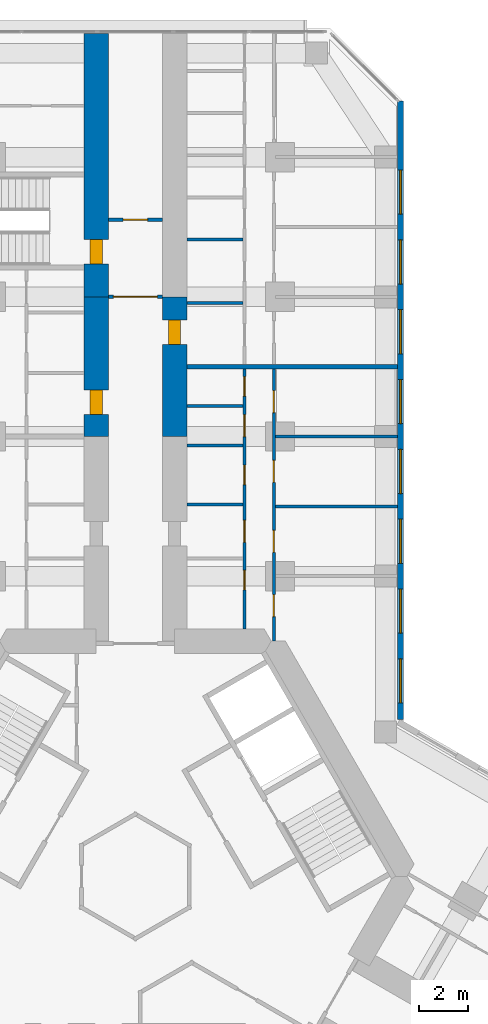
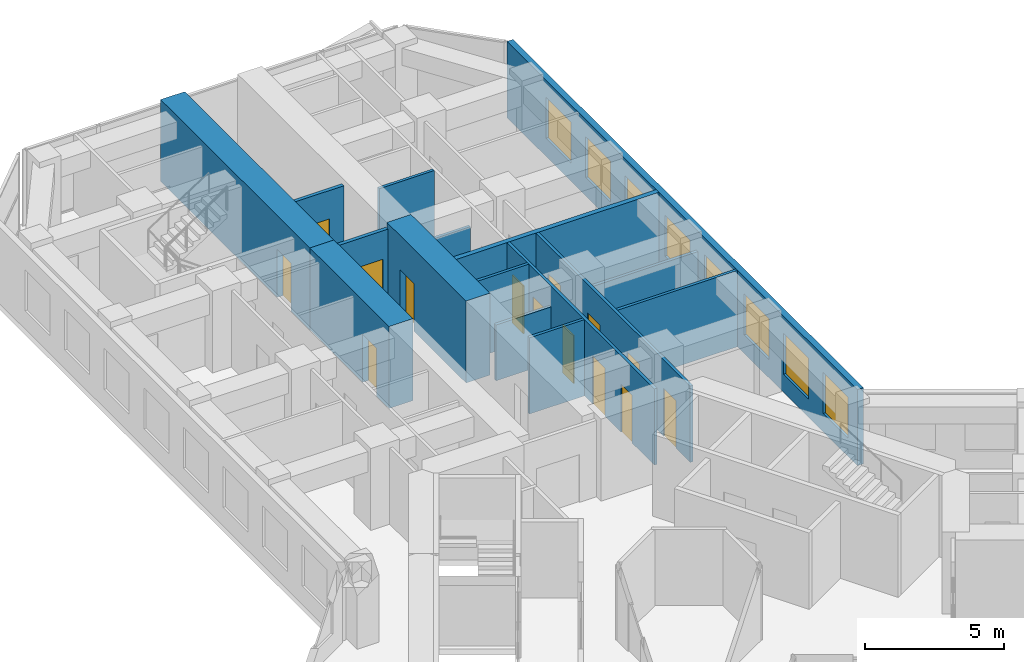
# One storey, part 18 of 21: 16 walls, 14 doors, 8 windows, 22 openings.
"""IFC4 building model written with IfcOpenShell, lengths in metres."""

from ifc_helpers import new_model, si_unit, direction, frame, frame_2d, origin, place, context, subcontext, project, spatial, rectangle, extrude, material, layer, layer_set, type_object, element, fill, save


model = new_model("IFC4")

# Units and contexts
model_context = context("Model", 3, precision=1e-05, world=origin(), true_north=direction((0.0, 1.0)))
body_context = subcontext(model_context, "Body", "Model", "MODEL_VIEW")
ifc_project = project(units=[si_unit("LENGTHUNIT", "METRE"), si_unit("AREAUNIT", "SQUARE_METRE"), si_unit("VOLUMEUNIT", "CUBIC_METRE"), si_unit("PLANEANGLEUNIT", "RADIAN"), si_unit("MASSUNIT", "GRAM", prefix="KILO")], contexts=[model_context])

# Site, building, storey
site_placement = place(None, origin())
site = spatial("IfcSite", under=ifc_project, at=site_placement, CompositionType="ELEMENT")
building_placement = place(site_placement, origin())
building = spatial("IfcBuilding", under=site, at=building_placement, Name="Kosmar Iwan School Tower", CompositionType="ELEMENT")
storey_placement = place(building_placement, frame((0.0, 0.0, 88.0)))
storey = spatial("IfcBuildingStorey", under=building, at=storey_placement, Name="L21", CompositionType="ELEMENT", Elevation=88.0)

# Wall, opening, door
ifc_material_1 = material(Name="Concrete C50/60", Category="concrete")
ifc_layer_1 = layer(ifc_material_1, 1.0)
ifc_layer_set_1 = layer_set([ifc_layer_1], Name="Corridor buttress wall 1000")
wall_type_1 = type_object("IfcWallType", Name="Corridor buttress wall 1000", PredefinedType="SHEAR", material=ifc_layer_set_1)
wall_1_placement = place(storey_placement, frame((-1.60009765625, 17.949951171875, 0.0), z_axis=(0.0, 0.0, 1.0), x_axis=(0.0, 1.0, 0.0)))
wall_1 = element("IfcWall", 1, at=wall_1_placement, inside=storey, type_object=wall_type_1, Name="Corridor wall AL bay 2", PredefinedType="SHEAR", context=body_context, shape_type="SweptSolid", body=[
    extrude(rectangle(XDim=5.699951171875, YDim=1.0, at=frame_2d((2.85009765625, 0.0))), origin(), (0.0, 0.0, 1.0), 3.60009765625),
])
opening_1_placement = place(wall_1_placement, frame((0.89990234375, 0.0, 0.0)))
opening_1 = element("IfcOpeningElement", 2, at=opening_1_placement, cuts=wall_1, Name="Opening D1", PredefinedType="OPENING", context=body_context, shape_type="SweptSolid", body=[
    extrude(rectangle(XDim=1.0, YDim=2.10009765625, at=frame_2d((0.5, 1.050048828125))), frame((0.0, 0.511962890625, 0.0), z_axis=(0.0, -1.0, 0.0), x_axis=(1.0, 0.0, 0.0)), (0.0, 0.0, 1.0), 1.02392578125),
])
ifc_material_2 = material(Name="Timber fire door in steel frame", Category="steel")
door_type_1 = type_object("IfcDoorType", Name="Flat entrance door 1000x2100", OperationType="SINGLE_SWING_LEFT", PredefinedType="DOOR", material=ifc_material_2)
door_1_placement = place(opening_1_placement, origin())
door_1 = element("IfcDoor", 3, at=door_1_placement, inside=storey, type_object=door_type_1, Name="Flat L21-AL2 entrance door", OperationType="SINGLE_SWING_RIGHT", OverallHeight=2.10009765625, OverallWidth=1.0, PredefinedType="DOOR", context=body_context, shape_type="SweptSolid", body=[
    extrude(rectangle(XDim=1.0, YDim=2.10009765625, at=frame_2d((0.5, 1.050048828125))), frame((0.0, 0.25, 0.0), z_axis=(0.0, -1.0, 0.0), x_axis=(1.0, 0.0, 0.0)), (0.0, 0.0, 1.0), 0.5),
])
fill(opening_1, door_1)

wall_2_placement = place(storey_placement, frame((-1.60009765625, 23.64990234375, 0.0), z_axis=(0.0, 0.0, 1.0), x_axis=(0.0, 1.0, 0.0)))
wall_2 = element("IfcWall", 4, at=wall_2_placement, inside=storey, type_object=wall_type_1, Name="Corridor wall AL bay 3", PredefinedType="SHEAR", context=body_context, shape_type="SweptSolid", body=[
    extrude(rectangle(XDim=10.7451171875, YDim=1.0, at=frame_2d((5.37255859375, 0.0))), origin(), (0.0, 0.0, 1.0), 3.60009765625),
])
opening_2_placement = place(wall_2_placement, frame((1.35009765625, 0.0, 0.0)))
opening_2 = element("IfcOpeningElement", 5, at=opening_2_placement, cuts=wall_2, Name="Opening D6", PredefinedType="OPENING", context=body_context, shape_type="SweptSolid", body=[
    extrude(rectangle(XDim=1.0, YDim=2.10009765625, at=frame_2d((0.5, 1.050048828125))), frame((0.0, 0.511962890625, 0.0), z_axis=(0.0, -1.0, 0.0), x_axis=(1.0, 0.0, 0.0)), (0.0, 0.0, 1.0), 1.02392578125),
])
ifc_material_3 = material(Name="Steel fire door", Category="steel")
door_type_2 = type_object("IfcDoorType", Name="Stair door 1000x2100", OperationType="SINGLE_SWING_LEFT", PredefinedType="DOOR", material=ifc_material_3)
door_2_placement = place(opening_2_placement, origin())
door_2 = element("IfcDoor", 6, at=door_2_placement, inside=storey, type_object=door_type_2, Name="Stair WS1 door L21", OperationType="SINGLE_SWING_LEFT", OverallHeight=2.10009765625, OverallWidth=1.0, PredefinedType="DOOR", context=body_context, shape_type="SweptSolid", body=[
    extrude(rectangle(XDim=1.0, YDim=2.10009765625, at=frame_2d((0.5, 1.050048828125))), frame((0.0, 0.25, 0.0), z_axis=(0.0, -1.0, 0.0), x_axis=(1.0, 0.0, 0.0)), (0.0, 0.0, 1.0), 0.5),
])
fill(opening_2, door_2)

wall_3_placement = place(storey_placement, frame((1.60009765625, 17.949951171875, 0.0), z_axis=(0.0, 0.0, 1.0), x_axis=(0.0, 1.0, 0.0)))
wall_3 = element("IfcWall", 7, at=wall_3_placement, inside=storey, type_object=wall_type_1, Name="Corridor wall AR bay 2", PredefinedType="SHEAR", context=body_context, shape_type="SweptSolid", body=[
    extrude(rectangle(XDim=5.699951171875, YDim=1.0, at=frame_2d((2.85009765625, 0.0))), origin(), (0.0, 0.0, 1.0), 3.60009765625),
])
opening_3_placement = place(wall_3_placement, frame((3.75, 0.0, 0.0)))
opening_3 = element("IfcOpeningElement", 8, at=opening_3_placement, cuts=wall_3, Name="Opening D1", PredefinedType="OPENING", context=body_context, shape_type="SweptSolid", body=[
    extrude(rectangle(XDim=1.0, YDim=2.10009765625, at=frame_2d((0.5, 1.050048828125))), frame((0.0, 0.511962890625, 0.0), z_axis=(0.0, -1.0, 0.0), x_axis=(1.0, 0.0, 0.0)), (0.0, 0.0, 1.0), 1.02392578125),
])
door_3_placement = place(opening_3_placement, origin())
door_3 = element("IfcDoor", 9, at=door_3_placement, inside=storey, type_object=door_type_1, Name="Flat L21-AR2 entrance door", OperationType="SINGLE_SWING_RIGHT", OverallHeight=2.10009765625, OverallWidth=1.0, PredefinedType="DOOR", context=body_context, shape_type="SweptSolid", body=[
    extrude(rectangle(XDim=1.0, YDim=2.10009765625, at=frame_2d((0.5, 1.050048828125))), frame((0.0, 0.25, 0.0), z_axis=(0.0, -1.0, 0.0), x_axis=(1.0, 0.0, 0.0)), (0.0, 0.0, 1.0), 0.5),
])
fill(opening_3, door_3)

ifc_material_4 = material(Name="Gypsum board on steel studs, fire-rated", Category="steel")
ifc_layer_2 = layer(ifc_material_4, 0.14990234375)
ifc_layer_set_2 = layer_set([ifc_layer_2], Name="Corridor end wall 150")
wall_type_2 = type_object("IfcWallType", Name="Corridor end wall 150", PredefinedType="PARTITIONING", material=ifc_layer_set_2)
wall_4_placement = place(storey_placement, frame((1.10009765625, 26.800048828125, 0.0), z_axis=(0.0, 0.0, 1.0), x_axis=(-1.0, 0.0, 0.0)))
wall_4 = element("IfcWall", 10, at=wall_4_placement, inside=storey, type_object=wall_type_2, Name="Partition L21-A-CE", PredefinedType="PARTITIONING", context=body_context, shape_type="SweptSolid", body=[
    extrude(rectangle(XDim=2.2001953125, YDim=0.14990234375, at=frame_2d((1.10009765625, 0.0))), origin(), (0.0, 0.0, 1.0), 3.35009765625),
])
opening_4_placement = place(wall_4_placement, frame((0.60009765625, 0.0, 0.0)))
opening_4 = element("IfcOpeningElement", 11, at=opening_4_placement, cuts=wall_4, Name="Opening D13", PredefinedType="OPENING", context=body_context, shape_type="SweptSolid", body=[
    extrude(rectangle(XDim=1.0, YDim=2.10009765625, at=frame_2d((0.5, 1.050048828125))), frame((0.0, 0.0869140625, 0.0), z_axis=(0.0, -1.0, 0.0), x_axis=(1.0, 0.0, 0.0)), (0.0, 0.0, 1.0), 0.173828125),
])
ifc_material_5 = material(Name="Timber fire door with vision panel", Category="wood")
door_type_3 = type_object("IfcDoorType", Name="Corridor end door 1000x2100", OperationType="SINGLE_SWING_LEFT", PredefinedType="DOOR", material=ifc_material_5)
door_4_placement = place(opening_4_placement, origin())
door_4 = element("IfcDoor", 12, at=door_4_placement, inside=storey, type_object=door_type_3, Name="Laundry and drying room door L21-A", OperationType="SINGLE_SWING_RIGHT", OverallHeight=2.10009765625, OverallWidth=1.0, PredefinedType="DOOR", context=body_context, shape_type="SweptSolid", body=[
    extrude(rectangle(XDim=1.0, YDim=2.10009765625, at=frame_2d((0.5, 1.050048828125))), frame((0.0, 0.02490234375, 0.0), z_axis=(0.0, -1.0, 0.0), x_axis=(1.0, 0.0, 0.0)), (0.0, 0.0, 1.0), 0.050048828125),
])
fill(opening_4, door_4)

wall_5_placement = place(storey_placement, frame((1.10009765625, 23.64990234375, 0.0), z_axis=(0.0, 0.0, 1.0), x_axis=(-1.0, 0.0, 0.0)))
wall_5 = element("IfcWall", 13, at=wall_5_placement, inside=storey, type_object=wall_type_2, Name="Partition L21-A-HW", PredefinedType="PARTITIONING", context=body_context, shape_type="SweptSolid", body=[
    extrude(rectangle(XDim=2.2001953125, YDim=0.14990234375, at=frame_2d((1.10009765625, 0.0))), origin(), (0.0, 0.0, 1.0), 3.35009765625),
])
opening_5_placement = place(wall_5_placement, frame((0.199951171875, 0.0, 0.0)))
opening_5 = element("IfcOpeningElement", 14, at=opening_5_placement, cuts=wall_5, Name="Opening D9", PredefinedType="OPENING", context=body_context, shape_type="SweptSolid", body=[
    extrude(rectangle(XDim=1.800048828125, YDim=2.10009765625, at=frame_2d((0.89990234375, 1.050048828125))), frame((0.0, 0.0869140625, 0.0), z_axis=(0.0, -1.0, 0.0), x_axis=(1.0, 0.0, 0.0)), (0.0, 0.0, 1.0), 0.173828125),
])
ifc_material_6 = material(Name="Steel framed glazed smoke door", Category="steel")
door_type_4 = type_object("IfcDoorType", Name="Corridor smoke door pair 1800x2100", OperationType="DOUBLE_DOOR_DOUBLE_SWING", PredefinedType="DOOR", material=ifc_material_6)
door_5_placement = place(opening_5_placement, origin())
door_5 = element("IfcDoor", 15, at=door_5_placement, inside=storey, type_object=door_type_4, Name="Entrance vestibule smoke doors L21-A", OperationType="DOUBLE_DOOR_DOUBLE_SWING", OverallHeight=2.10009765625, OverallWidth=1.800048828125, PredefinedType="DOOR", context=body_context, shape_type="SweptSolid", body=[
    extrude(rectangle(XDim=1.800048828125, YDim=2.10009765625, at=frame_2d((0.89990234375, 1.050048828125))), frame((0.0, 0.02490234375, 0.0), z_axis=(0.0, -1.0, 0.0), x_axis=(1.0, 0.0, 0.0)), (0.0, 0.0, 1.0), 0.050048828125),
])
fill(opening_5, door_5)

# Wall, openings, doors
ifc_material_7 = material(Name="Gypsum board on steel studs", Category="steel")
ifc_layer_3 = layer(ifc_material_7, 0.1201171875)
ifc_layer_set_3 = layer_set([ifc_layer_3], Name="Dwelling partition 120")
wall_type_3 = type_object("IfcWallType", Name="Dwelling partition 120", PredefinedType="PARTITIONING", material=ifc_layer_set_3)
wall_6_placement = place(storey_placement, frame((4.449951171875, 10.10009765625, 0.0), z_axis=(0.0, 0.0, 1.0), x_axis=(0.0, 1.0, 0.0)))
wall_6 = element("IfcWall", 16, at=wall_6_placement, inside=storey, type_object=wall_type_3, Name="Partition L21-AR1-W1", PredefinedType="PARTITIONING", context=body_context, shape_type="SweptSolid", body=[
    extrude(rectangle(XDim=10.599853515625, YDim=0.1201171875, at=frame_2d((5.2998046875, 0.0))), origin(), (0.0, 0.0, 1.0), 3.35009765625),
])
opening_6_placement = place(wall_6_placement, frame((1.590087890625, 0.0, 0.0)))
opening_6 = element("IfcOpeningElement", 17, at=opening_6_placement, cuts=wall_6, Name="Opening D3", PredefinedType="OPENING", context=body_context, shape_type="SweptSolid", body=[
    extrude(rectangle(XDim=0.800048828125, YDim=2.10009765625, at=frame_2d((0.39990234375, 1.050048828125))), frame((0.0, 0.072021484375, 0.0), z_axis=(0.0, -1.0, 0.0), x_axis=(1.0, 0.0, 0.0)), (0.0, 0.0, 1.0), 0.14404296875),
])
opening_7_placement = place(wall_6_placement, frame((3.530029296875, 0.0, 0.0)))
opening_7 = element("IfcOpeningElement", 18, at=opening_7_placement, cuts=wall_6, Name="Opening D2", PredefinedType="OPENING", context=body_context, shape_type="SweptSolid", body=[
    extrude(rectangle(XDim=0.89990234375, YDim=2.10009765625, at=frame_2d((0.449951171875, 1.050048828125))), frame((0.0, 0.072021484375, 0.0), z_axis=(0.0, -1.0, 0.0), x_axis=(1.0, 0.0, 0.0)), (0.0, 0.0, 1.0), 0.14404296875),
])
opening_8_placement = place(wall_6_placement, frame((5.88427734375, 0.0, 0.0)))
opening_8 = element("IfcOpeningElement", 19, at=opening_8_placement, cuts=wall_6, Name="Opening D3", PredefinedType="OPENING", context=body_context, shape_type="SweptSolid", body=[
    extrude(rectangle(XDim=0.800048828125, YDim=2.10009765625, at=frame_2d((0.39990234375, 1.050048828125))), frame((0.0, 0.072021484375, 0.0), z_axis=(0.0, -1.0, 0.0), x_axis=(1.0, 0.0, 0.0)), (0.0, 0.0, 1.0), 0.14404296875),
])
opening_9_placement = place(wall_6_placement, frame((7.841552734375, 0.0, 0.0)))
opening_9 = element("IfcOpeningElement", 20, at=opening_9_placement, cuts=wall_6, Name="Opening D2", PredefinedType="OPENING", context=body_context, shape_type="SweptSolid", body=[
    extrude(rectangle(XDim=0.89990234375, YDim=2.10009765625, at=frame_2d((0.449951171875, 1.050048828125))), frame((0.0, 0.072021484375, 0.0), z_axis=(0.0, -1.0, 0.0), x_axis=(1.0, 0.0, 0.0)), (0.0, 0.0, 1.0), 0.14404296875),
])
opening_10_placement = place(wall_6_placement, frame((9.4970703125, 0.0, 0.0)))
opening_10 = element("IfcOpeningElement", 21, at=opening_10_placement, cuts=wall_6, Name="Opening D3", PredefinedType="OPENING", context=body_context, shape_type="SweptSolid", body=[
    extrude(rectangle(XDim=0.800048828125, YDim=2.10009765625, at=frame_2d((0.39990234375, 1.050048828125))), frame((0.0, 0.072021484375, 0.0), z_axis=(0.0, -1.0, 0.0), x_axis=(1.0, 0.0, 0.0)), (0.0, 0.0, 1.0), 0.14404296875),
])
ifc_material_8 = material(Name="Timber door in timber frame", Category="wood")
door_type_5 = type_object("IfcDoorType", Name="Internal door 900x2100", OperationType="SINGLE_SWING_LEFT", PredefinedType="DOOR", material=ifc_material_8)
door_6_placement = place(opening_7_placement, origin())
door_6 = element("IfcDoor", 22, at=door_6_placement, inside=storey, type_object=door_type_5, Name="Entrance hall door L21-AR1-S2", OperationType="SINGLE_SWING_LEFT", OverallHeight=2.10009765625, OverallWidth=0.89990234375, PredefinedType="DOOR", context=body_context, shape_type="SweptSolid", body=[
    extrude(rectangle(XDim=0.89990234375, YDim=2.10009765625, at=frame_2d((0.449951171875, 1.050048828125))), frame((0.0, 0.02490234375, 0.0), z_axis=(0.0, -1.0, 0.0), x_axis=(1.0, 0.0, 0.0)), (0.0, 0.0, 1.0), 0.050048828125),
])
fill(opening_7, door_6)
door_7_placement = place(opening_9_placement, origin())
door_7 = element("IfcDoor", 23, at=door_7_placement, inside=storey, type_object=door_type_5, Name="Pantry door L21-AR1-S4", OperationType="SINGLE_SWING_LEFT", OverallHeight=2.10009765625, OverallWidth=0.89990234375, PredefinedType="DOOR", context=body_context, shape_type="SweptSolid", body=[
    extrude(rectangle(XDim=0.89990234375, YDim=2.10009765625, at=frame_2d((0.449951171875, 1.050048828125))), frame((0.0, 0.02490234375, 0.0), z_axis=(0.0, -1.0, 0.0), x_axis=(1.0, 0.0, 0.0)), (0.0, 0.0, 1.0), 0.050048828125),
])
fill(opening_9, door_7)
ifc_material_9 = material(Name="Timber door in timber frame", Category="wood")
door_type_6 = type_object("IfcDoorType", Name="Sanitary room door 800x2100", OperationType="SINGLE_SWING_LEFT", PredefinedType="DOOR", material=ifc_material_9)
door_8_placement = place(opening_6_placement, origin())
door_8 = element("IfcDoor", 24, at=door_8_placement, inside=storey, type_object=door_type_6, Name="WC door L21-AR1-S1", OperationType="SINGLE_SWING_RIGHT", OverallHeight=2.10009765625, OverallWidth=0.800048828125, PredefinedType="DOOR", context=body_context, shape_type="SweptSolid", body=[
    extrude(rectangle(XDim=0.800048828125, YDim=2.10009765625, at=frame_2d((0.39990234375, 1.050048828125))), frame((0.0, 0.02490234375, 0.0), z_axis=(0.0, -1.0, 0.0), x_axis=(1.0, 0.0, 0.0)), (0.0, 0.0, 1.0), 0.050048828125),
])
fill(opening_6, door_8)
door_9_placement = place(opening_8_placement, origin())
door_9 = element("IfcDoor", 25, at=door_9_placement, inside=storey, type_object=door_type_6, Name="Bathroom door L21-AR1-S3", OperationType="SINGLE_SWING_RIGHT", OverallHeight=2.10009765625, OverallWidth=0.800048828125, PredefinedType="DOOR", context=body_context, shape_type="SweptSolid", body=[
    extrude(rectangle(XDim=0.800048828125, YDim=2.10009765625, at=frame_2d((0.39990234375, 1.050048828125))), frame((0.0, 0.02490234375, 0.0), z_axis=(0.0, -1.0, 0.0), x_axis=(1.0, 0.0, 0.0)), (0.0, 0.0, 1.0), 0.050048828125),
])
fill(opening_8, door_9)
door_10_placement = place(opening_10_placement, origin())
door_10 = element("IfcDoor", 26, at=door_10_placement, inside=storey, type_object=door_type_6, Name="Store door L21-AR1-S5", OperationType="SINGLE_SWING_RIGHT", OverallHeight=2.10009765625, OverallWidth=0.800048828125, PredefinedType="DOOR", context=body_context, shape_type="SweptSolid", body=[
    extrude(rectangle(XDim=0.800048828125, YDim=2.10009765625, at=frame_2d((0.39990234375, 1.050048828125))), frame((0.0, 0.02490234375, 0.0), z_axis=(0.0, -1.0, 0.0), x_axis=(1.0, 0.0, 0.0)), (0.0, 0.0, 1.0), 0.050048828125),
])
fill(opening_10, door_10)

wall_7_placement = place(storey_placement, frame((5.64990234375, 9.60009765625, 0.0), z_axis=(0.0, 0.0, 1.0), x_axis=(0.0, 1.0, 0.0)))
wall_7 = element("IfcWall", 27, at=wall_7_placement, inside=storey, type_object=wall_type_3, Name="Partition L21-AR1-W2", PredefinedType="PARTITIONING", context=body_context, shape_type="SweptSolid", body=[
    extrude(rectangle(XDim=11.099853515625, YDim=0.1201171875, at=frame_2d((5.5498046875, 0.0))), origin(), (0.0, 0.0, 1.0), 3.35009765625),
])
opening_11_placement = place(wall_7_placement, frame((1.0, 0.0, 0.0)))
opening_11 = element("IfcOpeningElement", 28, at=opening_11_placement, cuts=wall_7, Name="Opening D2", PredefinedType="OPENING", context=body_context, shape_type="SweptSolid", body=[
    extrude(rectangle(XDim=0.89990234375, YDim=2.10009765625, at=frame_2d((0.449951171875, 1.050048828125))), frame((0.0, 0.072021484375, 0.0), z_axis=(0.0, -1.0, 0.0), x_axis=(1.0, 0.0, 0.0)), (0.0, 0.0, 1.0), 0.14404296875),
])
opening_12_placement = place(wall_7_placement, frame((3.625, 0.0, 0.0)))
opening_12 = element("IfcOpeningElement", 29, at=opening_12_placement, cuts=wall_7, Name="Opening D2", PredefinedType="OPENING", context=body_context, shape_type="SweptSolid", body=[
    extrude(rectangle(XDim=0.89990234375, YDim=2.10009765625, at=frame_2d((0.449951171875, 1.050048828125))), frame((0.0, 0.072021484375, 0.0), z_axis=(0.0, -1.0, 0.0), x_axis=(1.0, 0.0, 0.0)), (0.0, 0.0, 1.0), 0.14404296875),
])
opening_13_placement = place(wall_7_placement, frame((6.47509765625, 0.0, 0.0)))
opening_13 = element("IfcOpeningElement", 30, at=opening_13_placement, cuts=wall_7, Name="Opening D2", PredefinedType="OPENING", context=body_context, shape_type="SweptSolid", body=[
    extrude(rectangle(XDim=0.89990234375, YDim=2.10009765625, at=frame_2d((0.449951171875, 1.050048828125))), frame((0.0, 0.072021484375, 0.0), z_axis=(0.0, -1.0, 0.0), x_axis=(1.0, 0.0, 0.0)), (0.0, 0.0, 1.0), 0.14404296875),
])
opening_14_placement = place(wall_7_placement, frame((9.324951171875, 0.0, 0.0)))
opening_14 = element("IfcOpeningElement", 31, at=opening_14_placement, cuts=wall_7, Name="Opening D2", PredefinedType="OPENING", context=body_context, shape_type="SweptSolid", body=[
    extrude(rectangle(XDim=0.89990234375, YDim=2.10009765625, at=frame_2d((0.449951171875, 1.050048828125))), frame((0.0, 0.072021484375, 0.0), z_axis=(0.0, -1.0, 0.0), x_axis=(1.0, 0.0, 0.0)), (0.0, 0.0, 1.0), 0.14404296875),
])
door_11_placement = place(opening_11_placement, origin())
door_11 = element("IfcDoor", 32, at=door_11_placement, inside=storey, type_object=door_type_5, Name="Living room and kitchen door L21-AR1-F1", OperationType="SINGLE_SWING_LEFT", OverallHeight=2.10009765625, OverallWidth=0.89990234375, PredefinedType="DOOR", context=body_context, shape_type="SweptSolid", body=[
    extrude(rectangle(XDim=0.89990234375, YDim=2.10009765625, at=frame_2d((0.449951171875, 1.050048828125))), frame((0.0, 0.02490234375, 0.0), z_axis=(0.0, -1.0, 0.0), x_axis=(1.0, 0.0, 0.0)), (0.0, 0.0, 1.0), 0.050048828125),
])
fill(opening_11, door_11)
door_12_placement = place(opening_12_placement, origin())
door_12 = element("IfcDoor", 33, at=door_12_placement, inside=storey, type_object=door_type_5, Name="Study door L21-AR1-F2", OperationType="SINGLE_SWING_LEFT", OverallHeight=2.10009765625, OverallWidth=0.89990234375, PredefinedType="DOOR", context=body_context, shape_type="SweptSolid", body=[
    extrude(rectangle(XDim=0.89990234375, YDim=2.10009765625, at=frame_2d((0.449951171875, 1.050048828125))), frame((0.0, 0.02490234375, 0.0), z_axis=(0.0, -1.0, 0.0), x_axis=(1.0, 0.0, 0.0)), (0.0, 0.0, 1.0), 0.050048828125),
])
fill(opening_12, door_12)
door_13_placement = place(opening_13_placement, origin())
door_13 = element("IfcDoor", 34, at=door_13_placement, inside=storey, type_object=door_type_5, Name="Bedroom 1 door L21-AR1-F3", OperationType="SINGLE_SWING_RIGHT", OverallHeight=2.10009765625, OverallWidth=0.89990234375, PredefinedType="DOOR", context=body_context, shape_type="SweptSolid", body=[
    extrude(rectangle(XDim=0.89990234375, YDim=2.10009765625, at=frame_2d((0.449951171875, 1.050048828125))), frame((0.0, 0.02490234375, 0.0), z_axis=(0.0, -1.0, 0.0), x_axis=(1.0, 0.0, 0.0)), (0.0, 0.0, 1.0), 0.050048828125),
])
fill(opening_13, door_13)
door_14_placement = place(opening_14_placement, origin())
door_14 = element("IfcDoor", 35, at=door_14_placement, inside=storey, type_object=door_type_5, Name="Winter garden door L21-AR1-F4", OperationType="SINGLE_SWING_RIGHT", OverallHeight=2.10009765625, OverallWidth=0.89990234375, PredefinedType="DOOR", context=body_context, shape_type="SweptSolid", body=[
    extrude(rectangle(XDim=0.89990234375, YDim=2.10009765625, at=frame_2d((0.449951171875, 1.050048828125))), frame((0.0, 0.02490234375, 0.0), z_axis=(0.0, -1.0, 0.0), x_axis=(1.0, 0.0, 0.0)), (0.0, 0.0, 1.0), 0.050048828125),
])
fill(opening_14, door_14)

# Walls
wall_8_placement = place(storey_placement, frame((5.7099609375, 15.10009765625, 0.0), z_axis=(0.0, 0.0, 1.0), x_axis=(1.0, 0.0, 0.0)))
element("IfcWall", 36, at=wall_8_placement, inside=storey, type_object=wall_type_3, Name="Partition L21-AR1-X2", PredefinedType="PARTITIONING", context=body_context, shape_type="SweptSolid", body=[
    extrude(rectangle(XDim=4.989990234375, YDim=0.1201171875, at=frame_2d((2.4951171875, 0.0))), origin(), (0.0, 0.0, 1.0), 3.35009765625),
])
wall_9_placement = place(storey_placement, frame((5.7099609375, 17.949951171875, 0.0), z_axis=(0.0, 0.0, 1.0), x_axis=(1.0, 0.0, 0.0)))
element("IfcWall", 37, at=wall_9_placement, inside=storey, type_object=wall_type_3, Name="Partition L21-AR1-X3", PredefinedType="PARTITIONING", context=body_context, shape_type="SweptSolid", body=[
    extrude(rectangle(XDim=4.989990234375, YDim=0.1201171875, at=frame_2d((2.4951171875, 0.0))), origin(), (0.0, 0.0, 1.0), 2.449951171875),
])
wall_10_placement = place(storey_placement, frame((2.10009765625, 15.179931640625, 0.0), z_axis=(0.0, 0.0, 1.0), x_axis=(1.0, 0.0, 0.0)))
element("IfcWall", 38, at=wall_10_placement, inside=storey, type_object=wall_type_3, Name="Partition L21-AR1-Y2", PredefinedType="PARTITIONING", context=body_context, shape_type="SweptSolid", body=[
    extrude(rectangle(XDim=2.289794921875, YDim=0.1201171875, at=frame_2d((1.14501953125, 0.0))), origin(), (0.0, 0.0, 1.0), 3.35009765625),
])
wall_11_placement = place(storey_placement, frame((2.10009765625, 17.588623046875, 0.0), z_axis=(0.0, 0.0, 1.0), x_axis=(1.0, 0.0, 0.0)))
element("IfcWall", 39, at=wall_11_placement, inside=storey, type_object=wall_type_3, Name="Partition L21-AR1-Y3", PredefinedType="PARTITIONING", context=body_context, shape_type="SweptSolid", body=[
    extrude(rectangle(XDim=2.289794921875, YDim=0.1201171875, at=frame_2d((1.14501953125, 0.0))), origin(), (0.0, 0.0, 1.0), 2.449951171875),
])
wall_12_placement = place(storey_placement, frame((2.10009765625, 19.1943359375, 0.0), z_axis=(0.0, 0.0, 1.0), x_axis=(1.0, 0.0, 0.0)))
element("IfcWall", 40, at=wall_12_placement, inside=storey, type_object=wall_type_3, Name="Partition L21-AR1-Y4", PredefinedType="PARTITIONING", context=body_context, shape_type="SweptSolid", body=[
    extrude(rectangle(XDim=2.289794921875, YDim=0.1201171875, at=frame_2d((1.14501953125, 0.0))), origin(), (0.0, 0.0, 1.0), 3.35009765625),
])
wall_13_placement = place(storey_placement, frame((2.10009765625, 23.39990234375, 0.0), z_axis=(0.0, 0.0, 1.0), x_axis=(1.0, 0.0, 0.0)))
element("IfcWall", 41, at=wall_13_placement, inside=storey, type_object=wall_type_3, Name="Partition L21-AR2-Y1", PredefinedType="PARTITIONING", context=body_context, shape_type="SweptSolid", body=[
    extrude(rectangle(XDim=2.289794921875, YDim=0.1201171875, at=frame_2d((1.14501953125, 0.0))), origin(), (0.0, 0.0, 1.0), 2.449951171875),
])
wall_14_placement = place(storey_placement, frame((2.10009765625, 25.984619140625, 0.0), z_axis=(0.0, 0.0, 1.0), x_axis=(1.0, 0.0, 0.0)))
element("IfcWall", 42, at=wall_14_placement, inside=storey, type_object=wall_type_3, Name="Partition L21-AR2-Y2", PredefinedType="PARTITIONING", context=body_context, shape_type="SweptSolid", body=[
    extrude(rectangle(XDim=2.289794921875, YDim=0.1201171875, at=frame_2d((1.14501953125, 0.0))), origin(), (0.0, 0.0, 1.0), 3.35009765625),
])

# Wall, openings, windows
ifc_material_10 = material(Name="Black aluminium rainscreen on insulated framing", Category="aluminium")
ifc_layer_4 = layer(ifc_material_10, 0.25)
ifc_layer_set_4 = layer_set([ifc_layer_4], Name="External wall rainscreen 250")
wall_type_4 = type_object("IfcWallType", Name="External wall rainscreen 250", PredefinedType="SOLIDWALL", material=ifc_layer_set_4)
wall_15_placement = place(storey_placement, frame((10.824951171875, 6.408935546875, 0.0), z_axis=(0.0, 0.0, 1.0), x_axis=(0.0, 1.0, 0.0)))
wall_15 = element("IfcWall", 43, at=wall_15_placement, inside=storey, type_object=wall_type_4, Name="External wall AR L21", PredefinedType="SOLIDWALL", context=body_context, shape_type="SweptSolid", body=[
    extrude(rectangle(XDim=25.226318359375, YDim=0.25, at=frame_2d((12.61328125, 0.0))), origin(), (0.0, 0.0, 1.0), 3.35009765625),
])
opening_15_placement = place(wall_15_placement, frame((0.666015625, 0.0, 0.800048828125)))
opening_15 = element("IfcOpeningElement", 44, at=opening_15_placement, cuts=wall_15, Name="Opening W1", PredefinedType="OPENING", context=body_context, shape_type="SweptSolid", body=[
    extrude(rectangle(XDim=1.800048828125, YDim=1.800048828125, at=frame_2d((0.89990234375, 0.89990234375))), frame((0.0, 0.136962890625, 0.0), z_axis=(0.0, -1.0, 0.0), x_axis=(1.0, 0.0, 0.0)), (0.0, 0.0, 1.0), 0.27392578125),
])
opening_16_placement = place(wall_15_placement, frame((3.51611328125, 0.0, 0.800048828125)))
opening_16 = element("IfcOpeningElement", 45, at=opening_16_placement, cuts=wall_15, Name="Opening W1", PredefinedType="OPENING", context=body_context, shape_type="SweptSolid", body=[
    extrude(rectangle(XDim=1.800048828125, YDim=1.800048828125, at=frame_2d((0.89990234375, 0.89990234375))), frame((0.0, 0.136962890625, 0.0), z_axis=(0.0, -1.0, 0.0), x_axis=(1.0, 0.0, 0.0)), (0.0, 0.0, 1.0), 0.27392578125),
])
opening_17_placement = place(wall_15_placement, frame((6.365966796875, 0.0, 0.800048828125)))
opening_17 = element("IfcOpeningElement", 46, at=opening_17_placement, cuts=wall_15, Name="Opening W1", PredefinedType="OPENING", context=body_context, shape_type="SweptSolid", body=[
    extrude(rectangle(XDim=1.800048828125, YDim=1.800048828125, at=frame_2d((0.89990234375, 0.89990234375))), frame((0.0, 0.136962890625, 0.0), z_axis=(0.0, -1.0, 0.0), x_axis=(1.0, 0.0, 0.0)), (0.0, 0.0, 1.0), 0.27392578125),
])
opening_18_placement = place(wall_15_placement, frame((9.216064453125, 0.0, 0.800048828125)))
opening_18 = element("IfcOpeningElement", 47, at=opening_18_placement, cuts=wall_15, Name="Opening W1", PredefinedType="OPENING", context=body_context, shape_type="SweptSolid", body=[
    extrude(rectangle(XDim=1.800048828125, YDim=1.800048828125, at=frame_2d((0.89990234375, 0.89990234375))), frame((0.0, 0.136962890625, 0.0), z_axis=(0.0, -1.0, 0.0), x_axis=(1.0, 0.0, 0.0)), (0.0, 0.0, 1.0), 0.27392578125),
])
opening_19_placement = place(wall_15_placement, frame((12.06591796875, 0.0, 0.800048828125)))
opening_19 = element("IfcOpeningElement", 48, at=opening_19_placement, cuts=wall_15, Name="Opening W1", PredefinedType="OPENING", context=body_context, shape_type="SweptSolid", body=[
    extrude(rectangle(XDim=1.800048828125, YDim=1.800048828125, at=frame_2d((0.89990234375, 0.89990234375))), frame((0.0, 0.136962890625, 0.0), z_axis=(0.0, -1.0, 0.0), x_axis=(1.0, 0.0, 0.0)), (0.0, 0.0, 1.0), 0.27392578125),
])
opening_20_placement = place(wall_15_placement, frame((14.916015625, 0.0, 0.800048828125)))
opening_20 = element("IfcOpeningElement", 49, at=opening_20_placement, cuts=wall_15, Name="Opening W1", PredefinedType="OPENING", context=body_context, shape_type="SweptSolid", body=[
    extrude(rectangle(XDim=1.800048828125, YDim=1.800048828125, at=frame_2d((0.89990234375, 0.89990234375))), frame((0.0, 0.136962890625, 0.0), z_axis=(0.0, -1.0, 0.0), x_axis=(1.0, 0.0, 0.0)), (0.0, 0.0, 1.0), 0.27392578125),
])
opening_21_placement = place(wall_15_placement, frame((17.76611328125, 0.0, 0.800048828125)))
opening_21 = element("IfcOpeningElement", 50, at=opening_21_placement, cuts=wall_15, Name="Opening W1", PredefinedType="OPENING", context=body_context, shape_type="SweptSolid", body=[
    extrude(rectangle(XDim=1.800048828125, YDim=1.800048828125, at=frame_2d((0.89990234375, 0.89990234375))), frame((0.0, 0.136962890625, 0.0), z_axis=(0.0, -1.0, 0.0), x_axis=(1.0, 0.0, 0.0)), (0.0, 0.0, 1.0), 0.27392578125),
])
opening_22_placement = place(wall_15_placement, frame((20.615966796875, 0.0, 0.800048828125)))
opening_22 = element("IfcOpeningElement", 51, at=opening_22_placement, cuts=wall_15, Name="Opening W1", PredefinedType="OPENING", context=body_context, shape_type="SweptSolid", body=[
    extrude(rectangle(XDim=1.800048828125, YDim=1.800048828125, at=frame_2d((0.89990234375, 0.89990234375))), frame((0.0, 0.136962890625, 0.0), z_axis=(0.0, -1.0, 0.0), x_axis=(1.0, 0.0, 0.0)), (0.0, 0.0, 1.0), 0.27392578125),
])
ifc_material_11 = material(Name="Black aluminium frame with dark triple glazing", Category="aluminium")
window_type = type_object("IfcWindowType", Name="Window 1800x1800", PartitioningType="SINGLE_PANEL", PredefinedType="WINDOW", material=ifc_material_11)
window_1_placement = place(opening_15_placement, origin())
window_1 = element("IfcWindow", 52, at=window_1_placement, inside=storey, type_object=window_type, Name="Window AR L21 -1", OverallHeight=1.800048828125, OverallWidth=1.800048828125, PartitioningType="SINGLE_PANEL", PredefinedType="WINDOW", context=body_context, shape_type="SweptSolid", body=[
    extrude(rectangle(XDim=1.800048828125, YDim=1.800048828125, at=frame_2d((0.89990234375, 0.89990234375))), frame((0.0, 0.030029296875, 0.0), z_axis=(0.0, -1.0, 0.0), x_axis=(1.0, 0.0, 0.0)), (0.0, 0.0, 1.0), 0.06005859375),
])
fill(opening_15, window_1)
window_2_placement = place(opening_16_placement, origin())
window_2 = element("IfcWindow", 53, at=window_2_placement, inside=storey, type_object=window_type, Name="Window AR L21 0", OverallHeight=1.800048828125, OverallWidth=1.800048828125, PartitioningType="SINGLE_PANEL", PredefinedType="WINDOW", context=body_context, shape_type="SweptSolid", body=[
    extrude(rectangle(XDim=1.800048828125, YDim=1.800048828125, at=frame_2d((0.89990234375, 0.89990234375))), frame((0.0, 0.030029296875, 0.0), z_axis=(0.0, -1.0, 0.0), x_axis=(1.0, 0.0, 0.0)), (0.0, 0.0, 1.0), 0.06005859375),
])
fill(opening_16, window_2)
window_3_placement = place(opening_17_placement, origin())
window_3 = element("IfcWindow", 54, at=window_3_placement, inside=storey, type_object=window_type, Name="Window AR L21 1", OverallHeight=1.800048828125, OverallWidth=1.800048828125, PartitioningType="SINGLE_PANEL", PredefinedType="WINDOW", context=body_context, shape_type="SweptSolid", body=[
    extrude(rectangle(XDim=1.800048828125, YDim=1.800048828125, at=frame_2d((0.89990234375, 0.89990234375))), frame((0.0, 0.030029296875, 0.0), z_axis=(0.0, -1.0, 0.0), x_axis=(1.0, 0.0, 0.0)), (0.0, 0.0, 1.0), 0.06005859375),
])
fill(opening_17, window_3)
window_4_placement = place(opening_18_placement, origin())
window_4 = element("IfcWindow", 55, at=window_4_placement, inside=storey, type_object=window_type, Name="Window AR L21 2", OverallHeight=1.800048828125, OverallWidth=1.800048828125, PartitioningType="SINGLE_PANEL", PredefinedType="WINDOW", context=body_context, shape_type="SweptSolid", body=[
    extrude(rectangle(XDim=1.800048828125, YDim=1.800048828125, at=frame_2d((0.89990234375, 0.89990234375))), frame((0.0, 0.030029296875, 0.0), z_axis=(0.0, -1.0, 0.0), x_axis=(1.0, 0.0, 0.0)), (0.0, 0.0, 1.0), 0.06005859375),
])
fill(opening_18, window_4)
window_5_placement = place(opening_19_placement, origin())
window_5 = element("IfcWindow", 56, at=window_5_placement, inside=storey, type_object=window_type, Name="Window AR L21 3", OverallHeight=1.800048828125, OverallWidth=1.800048828125, PartitioningType="SINGLE_PANEL", PredefinedType="WINDOW", context=body_context, shape_type="SweptSolid", body=[
    extrude(rectangle(XDim=1.800048828125, YDim=1.800048828125, at=frame_2d((0.89990234375, 0.89990234375))), frame((0.0, 0.030029296875, 0.0), z_axis=(0.0, -1.0, 0.0), x_axis=(1.0, 0.0, 0.0)), (0.0, 0.0, 1.0), 0.06005859375),
])
fill(opening_19, window_5)
window_6_placement = place(opening_20_placement, origin())
window_6 = element("IfcWindow", 57, at=window_6_placement, inside=storey, type_object=window_type, Name="Window AR L21 4", OverallHeight=1.800048828125, OverallWidth=1.800048828125, PartitioningType="SINGLE_PANEL", PredefinedType="WINDOW", context=body_context, shape_type="SweptSolid", body=[
    extrude(rectangle(XDim=1.800048828125, YDim=1.800048828125, at=frame_2d((0.89990234375, 0.89990234375))), frame((0.0, 0.030029296875, 0.0), z_axis=(0.0, -1.0, 0.0), x_axis=(1.0, 0.0, 0.0)), (0.0, 0.0, 1.0), 0.06005859375),
])
fill(opening_20, window_6)
window_7_placement = place(opening_21_placement, origin())
window_7 = element("IfcWindow", 58, at=window_7_placement, inside=storey, type_object=window_type, Name="Window AR L21 5", OverallHeight=1.800048828125, OverallWidth=1.800048828125, PartitioningType="SINGLE_PANEL", PredefinedType="WINDOW", context=body_context, shape_type="SweptSolid", body=[
    extrude(rectangle(XDim=1.800048828125, YDim=1.800048828125, at=frame_2d((0.89990234375, 0.89990234375))), frame((0.0, 0.030029296875, 0.0), z_axis=(0.0, -1.0, 0.0), x_axis=(1.0, 0.0, 0.0)), (0.0, 0.0, 1.0), 0.06005859375),
])
fill(opening_21, window_7)
window_8_placement = place(opening_22_placement, origin())
window_8 = element("IfcWindow", 59, at=window_8_placement, inside=storey, type_object=window_type, Name="Window AR L21 6", OverallHeight=1.800048828125, OverallWidth=1.800048828125, PartitioningType="SINGLE_PANEL", PredefinedType="WINDOW", context=body_context, shape_type="SweptSolid", body=[
    extrude(rectangle(XDim=1.800048828125, YDim=1.800048828125, at=frame_2d((0.89990234375, 0.89990234375))), frame((0.0, 0.030029296875, 0.0), z_axis=(0.0, -1.0, 0.0), x_axis=(1.0, 0.0, 0.0)), (0.0, 0.0, 1.0), 0.06005859375),
])
fill(opening_22, window_8)

# Wall
ifc_material_12 = material(Name="Concrete block masonry", Category="masonry")
ifc_layer_5 = layer(ifc_material_12, 0.199951171875)
ifc_layer_set_5 = layer_set([ifc_layer_5], Name="Party wall 200")
wall_type_5 = type_object("IfcWallType", Name="Party wall 200", PredefinedType="PARTITIONING", material=ifc_layer_set_5)
wall_16_placement = place(storey_placement, frame((2.10009765625, 20.800048828125, 0.0), z_axis=(0.0, 0.0, 1.0), x_axis=(1.0, 0.0, 0.0)))
element("IfcWall", 60, at=wall_16_placement, inside=storey, type_object=wall_type_5, Name="Partition L21-AR2-PW", PredefinedType="PARTITIONING", context=body_context, shape_type="SweptSolid", body=[
    extrude(rectangle(XDim=8.599853515625, YDim=0.199951171875, at=frame_2d((4.2998046875, 0.0))), origin(), (0.0, 0.0, 1.0), 3.35009765625),
])

save(model, "model.ifc")
